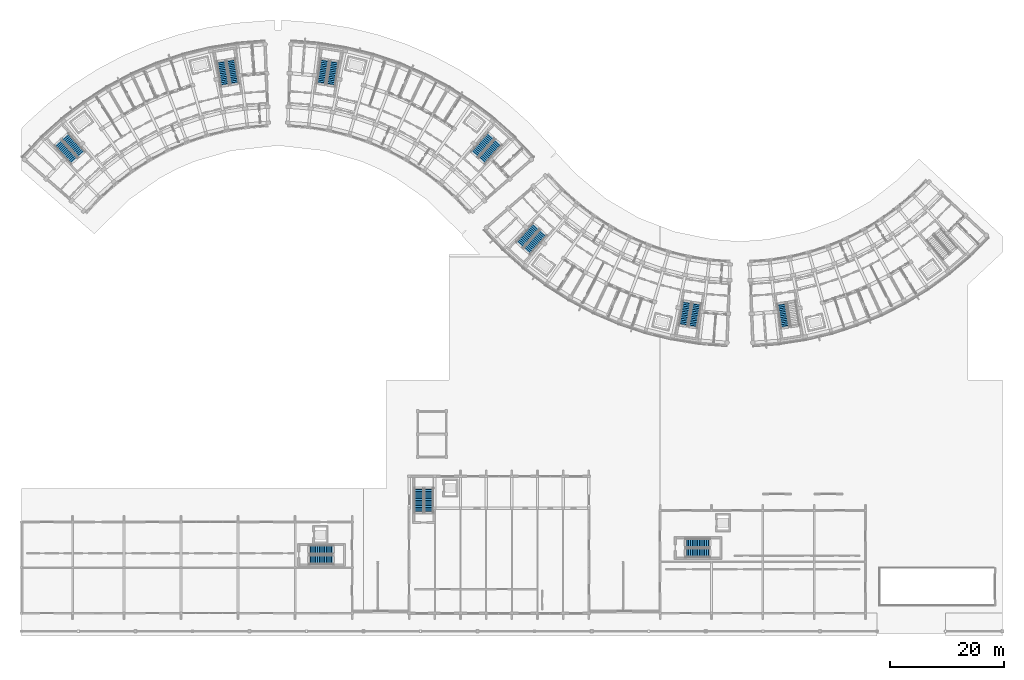
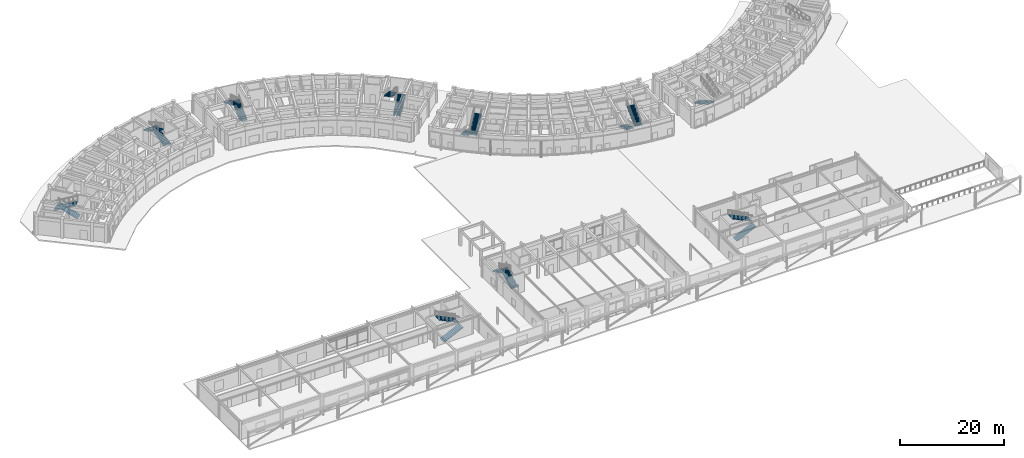
# One storey, part 46 of 61: 19 stair flights, 10 elements without a shape of their own.
"""IFC4 building model written with IfcOpenShell, lengths in metres."""

from ifc_helpers import new_model, si_unit, direction, frame, origin, place, context, subcontext, project, spatial, polyline, outline, extrude, material, type_object, element, aggregate, save


model = new_model("IFC4")

# Units and contexts
model_context = context("Model", 3, precision=1e-05, world=origin(), true_north=direction((0.0, 1.0)))
body_context = subcontext(model_context, "Body", "Model", "MODEL_VIEW")
ifc_project = project(units=[si_unit("LENGTHUNIT", "METRE"), si_unit("AREAUNIT", "SQUARE_METRE"), si_unit("VOLUMEUNIT", "CUBIC_METRE"), si_unit("PLANEANGLEUNIT", "RADIAN"), si_unit("MASSUNIT", "GRAM", prefix="KILO")], contexts=[model_context])

# Site, building, storey
site_placement = place(None, origin())
site = spatial("IfcSite", under=ifc_project, at=site_placement, CompositionType="ELEMENT")
building_placement = place(site_placement, origin())
building = spatial("IfcBuilding", under=site, at=building_placement, Name="Zimvara Arc Housing Community", CompositionType="ELEMENT")
storey_placement = place(building_placement, origin())
storey = spatial("IfcBuildingStorey", under=building, at=storey_placement, Name="L00", CompositionType="ELEMENT", Elevation=0.0)

# Stair, stair flights
ifc_material_1 = material(Name="Concrete C35/45", Category="concrete")
stair_type_1 = type_object("IfcStairType", Name="STR-DL-310-450", PredefinedType="HALF_TURN_STAIR", material=ifc_material_1)
stair_1_placement = place(storey_placement, origin())
stair_1 = element("IfcStair", 1, at=stair_1_placement, inside=storey, type_object=stair_type_1, Name="L00 Block C Exit Stair 2", PredefinedType="HALF_TURN_STAIR")
ifc_material_2 = material(Name="Concrete C35/45", Category="concrete")
stair_flight_type_1 = type_object("IfcStairFlightType", Name="STF-DL-310-450", PredefinedType="STRAIGHT", material=ifc_material_2)
stair_flight_1_placement = place(storey_placement, frame((116.7353515625, 58.27490234375, 0.0), z_axis=(0.0, 0.0, 1.0), x_axis=(-0.160225753504, -0.987080395872, 0.0)))
stair_flight_1 = element("IfcStairFlight", 2, at=stair_flight_1_placement, type_object=stair_flight_type_1, Name="ST-C2 flight 1", NumberOfRisers=15, NumberOfTreads=14, PredefinedType="STRAIGHT", RiserHeight=0.15, TreadLength=0.31, context=body_context, shape_type="SweptSolid", body=[
    extrude(outline(polyline([(0.0, 0.0), (0.0, 0.14990234375), (0.31005859375, 0.14990234375), (0.31005859375, 0.300048828125), (0.6201171875, 0.300048828125), (0.6201171875, 0.449951171875), (0.929931640625, 0.449951171875), (0.929931640625, 0.60009765625), (1.239990234375, 0.60009765625), (1.239990234375, 0.75), (1.550048828125, 0.75), (1.550048828125, 0.89990234375), (1.860107421875, 0.89990234375), (1.860107421875, 1.050048828125), (2.169921875, 1.050048828125), (2.169921875, 1.199951171875), (2.47998046875, 1.199951171875), (2.47998046875, 1.35009765625), (2.7900390625, 1.35009765625), (2.7900390625, 1.5), (3.10009765625, 1.5), (3.10009765625, 1.64990234375), (3.409912109375, 1.64990234375), (3.409912109375, 1.800048828125), (3.719970703125, 1.800048828125), (3.719970703125, 1.949951171875), (4.030029296875, 1.949951171875), (4.030029296875, 2.10009765625), (4.340087890625, 2.10009765625), (4.340087890625, 2.25), (4.340087890625, 1.933349609375), (0.34423828125, 0.0), (0.0, 0.0)])), frame((0.0, 0.780029296875, 0.0), z_axis=(0.0, -1.0, 0.0), x_axis=(1.0, 0.0, 0.0)), (0.0, 0.0, 1.0), 1.56005859375),
])
stair_flight_2_placement = place(storey_placement, frame((117.73779296875, 53.71533203125, 2.25), z_axis=(0.0, 0.0, 1.0), x_axis=(0.160225753504, 0.987080395872, 0.0)))
stair_flight_2 = element("IfcStairFlight", 3, at=stair_flight_2_placement, type_object=stair_flight_type_1, Name="ST-C2 flight 2", NumberOfRisers=15, NumberOfTreads=14, PredefinedType="STRAIGHT", RiserHeight=0.15, TreadLength=0.31, context=body_context, shape_type="SweptSolid", body=[
    extrude(outline(polyline([(0.0, 0.0), (0.0, 0.14990234375), (0.31005859375, 0.14990234375), (0.31005859375, 0.300048828125), (0.6201171875, 0.300048828125), (0.6201171875, 0.449951171875), (0.929931640625, 0.449951171875), (0.929931640625, 0.60009765625), (1.239990234375, 0.60009765625), (1.239990234375, 0.75), (1.550048828125, 0.75), (1.550048828125, 0.89990234375), (1.860107421875, 0.89990234375), (1.860107421875, 1.050048828125), (2.169921875, 1.050048828125), (2.169921875, 1.199951171875), (2.47998046875, 1.199951171875), (2.47998046875, 1.35009765625), (2.7900390625, 1.35009765625), (2.7900390625, 1.5), (3.10009765625, 1.5), (3.10009765625, 1.64990234375), (3.409912109375, 1.64990234375), (3.409912109375, 1.800048828125), (3.719970703125, 1.800048828125), (3.719970703125, 1.949951171875), (4.030029296875, 1.949951171875), (4.030029296875, 2.10009765625), (4.340087890625, 2.10009765625), (4.340087890625, 2.25), (4.340087890625, 1.933349609375), (0.34423828125, 0.0), (0.0, 0.0)])), frame((0.0, 0.780029296875, 0.0), z_axis=(0.0, -1.0, 0.0), x_axis=(1.0, 0.0, 0.0)), (0.0, 0.0, 1.0), 1.56005859375),
])
aggregate(stair_1, [stair_flight_1, stair_flight_2])

# Stair, stair flight
stair_2_placement = place(storey_placement, origin())
stair_2 = element("IfcStair", 4, at=stair_2_placement, inside=storey, type_object=stair_type_1, Name="L00 Block D Exit Stair 1", PredefinedType="HALF_TURN_STAIR")
stair_flight_3_placement = place(storey_placement, frame((133.282470703125, 57.964111328125, 0.0), z_axis=(0.0, 0.0, 1.0), x_axis=(0.155572484907, -0.987824479318, 0.0)))
stair_flight_3 = element("IfcStairFlight", 5, at=stair_flight_3_placement, type_object=stair_flight_type_1, Name="ST-D1 flight 1", NumberOfRisers=15, NumberOfTreads=14, PredefinedType="STRAIGHT", RiserHeight=0.15, TreadLength=0.31, context=body_context, shape_type="SweptSolid", body=[
    extrude(outline(polyline([(0.0, 0.0), (0.0, 0.14990234375), (0.31005859375, 0.14990234375), (0.31005859375, 0.300048828125), (0.6201171875, 0.300048828125), (0.6201171875, 0.449951171875), (0.929931640625, 0.449951171875), (0.929931640625, 0.60009765625), (1.239990234375, 0.60009765625), (1.239990234375, 0.75), (1.550048828125, 0.75), (1.550048828125, 0.89990234375), (1.860107421875, 0.89990234375), (1.860107421875, 1.050048828125), (2.169921875, 1.050048828125), (2.169921875, 1.199951171875), (2.47998046875, 1.199951171875), (2.47998046875, 1.35009765625), (2.7900390625, 1.35009765625), (2.7900390625, 1.5), (3.10009765625, 1.5), (3.10009765625, 1.64990234375), (3.409912109375, 1.64990234375), (3.409912109375, 1.800048828125), (3.719970703125, 1.800048828125), (3.719970703125, 1.949951171875), (4.030029296875, 1.949951171875), (4.030029296875, 2.10009765625), (4.340087890625, 2.10009765625), (4.340087890625, 2.25), (4.340087890625, 1.933349609375), (0.34423828125, 0.0), (0.0, 0.0)])), frame((0.0, 0.780029296875, 0.0), z_axis=(0.0, -1.0, 0.0), x_axis=(1.0, 0.0, 0.0)), (0.0, 0.0, 1.0), 1.56005859375),
])
aggregate(stair_2, [stair_flight_3])

# Stair, stair flights
stair_3_placement = place(storey_placement, origin())
stair_3 = element("IfcStair", 6, at=stair_3_placement, inside=storey, type_object=stair_type_1, Name="L00 Community Hall Stair ST-H1", PredefinedType="HALF_TURN_STAIR")
stair_flight_4_placement = place(storey_placement, frame((71.43994140625, 21.22998046875, 0.0), z_axis=(0.0, 0.0, 1.0), x_axis=(0.0, 1.0, 0.0)))
stair_flight_4 = element("IfcStairFlight", 7, at=stair_flight_4_placement, type_object=stair_flight_type_1, Name="ST-H1 flight 1", NumberOfRisers=15, NumberOfTreads=14, PredefinedType="STRAIGHT", RiserHeight=0.15, TreadLength=0.31, context=body_context, shape_type="SweptSolid", body=[
    extrude(outline(polyline([(0.0, 0.0), (0.0, 0.14990234375), (0.31005859375, 0.14990234375), (0.31005859375, 0.300048828125), (0.6201171875, 0.300048828125), (0.6201171875, 0.449951171875), (0.929931640625, 0.449951171875), (0.929931640625, 0.60009765625), (1.239990234375, 0.60009765625), (1.239990234375, 0.75), (1.550048828125, 0.75), (1.550048828125, 0.89990234375), (1.860107421875, 0.89990234375), (1.860107421875, 1.050048828125), (2.169921875, 1.050048828125), (2.169921875, 1.199951171875), (2.47998046875, 1.199951171875), (2.47998046875, 1.35009765625), (2.7900390625, 1.35009765625), (2.7900390625, 1.5), (3.10009765625, 1.5), (3.10009765625, 1.64990234375), (3.409912109375, 1.64990234375), (3.409912109375, 1.800048828125), (3.719970703125, 1.800048828125), (3.719970703125, 1.949951171875), (4.030029296875, 1.949951171875), (4.030029296875, 2.10009765625), (4.340087890625, 2.10009765625), (4.340087890625, 2.25), (4.340087890625, 1.933349609375), (0.34423828125, 0.0), (0.0, 0.0)])), frame((0.0, 0.780029296875, 0.0), z_axis=(0.0, -1.0, 0.0), x_axis=(1.0, 0.0, 0.0)), (0.0, 0.0, 1.0), 1.56005859375),
])
stair_flight_5_placement = place(storey_placement, frame((69.719970703125, 25.570068359375, 2.25), z_axis=(0.0, 0.0, 1.0), x_axis=(0.0, -1.0, 0.0)))
stair_flight_5 = element("IfcStairFlight", 8, at=stair_flight_5_placement, type_object=stair_flight_type_1, Name="ST-H1 flight 2", NumberOfRisers=15, NumberOfTreads=14, PredefinedType="STRAIGHT", RiserHeight=0.15, TreadLength=0.31, context=body_context, shape_type="SweptSolid", body=[
    extrude(outline(polyline([(0.0, 0.0), (0.0, 0.14990234375), (0.31005859375, 0.14990234375), (0.31005859375, 0.300048828125), (0.6201171875, 0.300048828125), (0.6201171875, 0.449951171875), (0.929931640625, 0.449951171875), (0.929931640625, 0.60009765625), (1.239990234375, 0.60009765625), (1.239990234375, 0.75), (1.550048828125, 0.75), (1.550048828125, 0.89990234375), (1.860107421875, 0.89990234375), (1.860107421875, 1.050048828125), (2.169921875, 1.050048828125), (2.169921875, 1.199951171875), (2.47998046875, 1.199951171875), (2.47998046875, 1.35009765625), (2.7900390625, 1.35009765625), (2.7900390625, 1.5), (3.10009765625, 1.5), (3.10009765625, 1.64990234375), (3.409912109375, 1.64990234375), (3.409912109375, 1.800048828125), (3.719970703125, 1.800048828125), (3.719970703125, 1.949951171875), (4.030029296875, 1.949951171875), (4.030029296875, 2.10009765625), (4.340087890625, 2.10009765625), (4.340087890625, 2.25), (4.340087890625, 1.933349609375), (0.34423828125, 0.0), (0.0, 0.0)])), frame((0.0, 0.780029296875, 0.0), z_axis=(0.0, -1.0, 0.0), x_axis=(1.0, 0.0, 0.0)), (0.0, 0.0, 1.0), 1.56005859375),
])
aggregate(stair_3, [stair_flight_4, stair_flight_5])

stair_4_placement = place(storey_placement, origin())
stair_4 = element("IfcStair", 9, at=stair_4_placement, inside=storey, type_object=stair_type_1, Name="L00 Shops Wing Stair ST-S1", PredefinedType="HALF_TURN_STAIR")
stair_flight_6_placement = place(storey_placement, frame((50.3798828125, 12.97998046875, 0.0), z_axis=(0.0, 0.0, 1.0), x_axis=(1.0, 0.0, 0.0)))
stair_flight_6 = element("IfcStairFlight", 10, at=stair_flight_6_placement, type_object=stair_flight_type_1, Name="ST-S1 flight 1", NumberOfRisers=15, NumberOfTreads=14, PredefinedType="STRAIGHT", RiserHeight=0.15, TreadLength=0.31, context=body_context, shape_type="SweptSolid", body=[
    extrude(outline(polyline([(0.0, 0.0), (0.0, 0.14990234375), (0.31005859375, 0.14990234375), (0.31005859375, 0.300048828125), (0.6201171875, 0.300048828125), (0.6201171875, 0.449951171875), (0.929931640625, 0.449951171875), (0.929931640625, 0.60009765625), (1.239990234375, 0.60009765625), (1.239990234375, 0.75), (1.550048828125, 0.75), (1.550048828125, 0.89990234375), (1.860107421875, 0.89990234375), (1.860107421875, 1.050048828125), (2.169921875, 1.050048828125), (2.169921875, 1.199951171875), (2.47998046875, 1.199951171875), (2.47998046875, 1.35009765625), (2.7900390625, 1.35009765625), (2.7900390625, 1.5), (3.10009765625, 1.5), (3.10009765625, 1.64990234375), (3.409912109375, 1.64990234375), (3.409912109375, 1.800048828125), (3.719970703125, 1.800048828125), (3.719970703125, 1.949951171875), (4.030029296875, 1.949951171875), (4.030029296875, 2.10009765625), (4.340087890625, 2.10009765625), (4.340087890625, 2.25), (4.340087890625, 1.933349609375), (0.34423828125, 0.0), (0.0, 0.0)])), frame((0.0, 0.780029296875, 0.0), z_axis=(0.0, -1.0, 0.0), x_axis=(1.0, 0.0, 0.0)), (0.0, 0.0, 1.0), 1.56005859375),
])
stair_flight_7_placement = place(storey_placement, frame((54.719970703125, 14.699951171875, 2.25), z_axis=(0.0, 0.0, 1.0), x_axis=(-1.0, 0.0, 0.0)))
stair_flight_7 = element("IfcStairFlight", 11, at=stair_flight_7_placement, type_object=stair_flight_type_1, Name="ST-S1 flight 2", NumberOfRisers=15, NumberOfTreads=14, PredefinedType="STRAIGHT", RiserHeight=0.15, TreadLength=0.31, context=body_context, shape_type="SweptSolid", body=[
    extrude(outline(polyline([(0.0, 0.0), (0.0, 0.14990234375), (0.31005859375, 0.14990234375), (0.31005859375, 0.300048828125), (0.6201171875, 0.300048828125), (0.6201171875, 0.449951171875), (0.929931640625, 0.449951171875), (0.929931640625, 0.60009765625), (1.239990234375, 0.60009765625), (1.239990234375, 0.75), (1.550048828125, 0.75), (1.550048828125, 0.89990234375), (1.860107421875, 0.89990234375), (1.860107421875, 1.050048828125), (2.169921875, 1.050048828125), (2.169921875, 1.199951171875), (2.47998046875, 1.199951171875), (2.47998046875, 1.35009765625), (2.7900390625, 1.35009765625), (2.7900390625, 1.5), (3.10009765625, 1.5), (3.10009765625, 1.64990234375), (3.409912109375, 1.64990234375), (3.409912109375, 1.800048828125), (3.719970703125, 1.800048828125), (3.719970703125, 1.949951171875), (4.030029296875, 1.949951171875), (4.030029296875, 2.10009765625), (4.340087890625, 2.10009765625), (4.340087890625, 2.25), (4.340087890625, 1.933349609375), (0.34423828125, 0.0), (0.0, 0.0)])), frame((0.0, 0.780029296875, 0.0), z_axis=(0.0, -1.0, 0.0), x_axis=(1.0, 0.0, 0.0)), (0.0, 0.0, 1.0), 1.56005859375),
])
aggregate(stair_4, [stair_flight_6, stair_flight_7])

ifc_material_3 = material(Name="Concrete C35/45", Category="concrete")
stair_type_2 = type_object("IfcStairType", Name="STR-DL-312-450", PredefinedType="HALF_TURN_STAIR", material=ifc_material_3)
stair_5_placement = place(storey_placement, origin())
stair_5 = element("IfcStair", 12, at=stair_5_placement, inside=storey, type_object=stair_type_2, Name="L00 Block A Exit Stair 1", PredefinedType="HALF_TURN_STAIR")
ifc_material_4 = material(Name="Concrete C35/45", Category="concrete")
stair_flight_type_2 = type_object("IfcStairFlightType", Name="STF-DL-312-450", PredefinedType="STRAIGHT", material=ifc_material_4)
stair_flight_8_placement = place(storey_placement, frame((10.590576171875, 84.0283203125, 0.0), z_axis=(0.0, 0.0, 1.0), x_axis=(-0.668871159118, 0.743378350842, 0.0)))
stair_flight_8 = element("IfcStairFlight", 13, at=stair_flight_8_placement, type_object=stair_flight_type_2, Name="ST-A1 flight 1", NumberOfRisers=15, NumberOfTreads=14, PredefinedType="STRAIGHT", RiserHeight=0.15, TreadLength=0.312, context=body_context, shape_type="SweptSolid", body=[
    extrude(outline(polyline([(0.0, 0.0), (0.0, 0.14990234375), (0.31201171875, 0.14990234375), (0.31201171875, 0.300048828125), (0.6240234375, 0.300048828125), (0.6240234375, 0.449951171875), (0.93603515625, 0.449951171875), (0.93603515625, 0.60009765625), (1.248046875, 0.60009765625), (1.248046875, 0.75), (1.56005859375, 0.75), (1.56005859375, 0.89990234375), (1.8720703125, 0.89990234375), (1.8720703125, 1.050048828125), (2.18408203125, 1.050048828125), (2.18408203125, 1.199951171875), (2.49609375, 1.199951171875), (2.49609375, 1.35009765625), (2.80810546875, 1.35009765625), (2.80810546875, 1.5), (3.1201171875, 1.5), (3.1201171875, 1.64990234375), (3.431884765625, 1.64990234375), (3.431884765625, 1.800048828125), (3.743896484375, 1.800048828125), (3.743896484375, 1.949951171875), (4.055908203125, 1.949951171875), (4.055908203125, 2.10009765625), (4.367919921875, 2.10009765625), (4.367919921875, 2.25), (4.367919921875, 1.93359375), (0.345947265625, 0.0), (0.0, 0.0)])), frame((0.0, 0.780029296875, 0.0), z_axis=(0.0, -1.0, 0.0), x_axis=(1.0, 0.0, 0.0)), (0.0, 0.0, 1.0), 1.56005859375),
])
stair_flight_9_placement = place(storey_placement, frame((6.39013671875, 86.124755859375, 2.25), z_axis=(0.0, 0.0, 1.0), x_axis=(0.668871159118, -0.743378350842, 0.0)))
stair_flight_9 = element("IfcStairFlight", 14, at=stair_flight_9_placement, type_object=stair_flight_type_2, Name="ST-A1 flight 2", NumberOfRisers=15, NumberOfTreads=14, PredefinedType="STRAIGHT", RiserHeight=0.15, TreadLength=0.312, context=body_context, shape_type="SweptSolid", body=[
    extrude(outline(polyline([(0.0, 0.0), (0.0, 0.14990234375), (0.31201171875, 0.14990234375), (0.31201171875, 0.300048828125), (0.6240234375, 0.300048828125), (0.6240234375, 0.449951171875), (0.93603515625, 0.449951171875), (0.93603515625, 0.60009765625), (1.248046875, 0.60009765625), (1.248046875, 0.75), (1.56005859375, 0.75), (1.56005859375, 0.89990234375), (1.8720703125, 0.89990234375), (1.8720703125, 1.050048828125), (2.18408203125, 1.050048828125), (2.18408203125, 1.199951171875), (2.49609375, 1.199951171875), (2.49609375, 1.35009765625), (2.80810546875, 1.35009765625), (2.80810546875, 1.5), (3.1201171875, 1.5), (3.1201171875, 1.64990234375), (3.431884765625, 1.64990234375), (3.431884765625, 1.800048828125), (3.743896484375, 1.800048828125), (3.743896484375, 1.949951171875), (4.055908203125, 1.949951171875), (4.055908203125, 2.10009765625), (4.367919921875, 2.10009765625), (4.367919921875, 2.25), (4.367919921875, 1.93359375), (0.345947265625, 0.0), (0.0, 0.0)])), frame((0.0, 0.780029296875, 0.0), z_axis=(0.0, -1.0, 0.0), x_axis=(1.0, 0.0, 0.0)), (0.0, 0.0, 1.0), 1.56005859375),
])
aggregate(stair_5, [stair_flight_8, stair_flight_9])

stair_6_placement = place(storey_placement, origin())
stair_6 = element("IfcStair", 15, at=stair_6_placement, inside=storey, type_object=stair_type_2, Name="L00 Nursery Stair ST-N1", PredefinedType="HALF_TURN_STAIR")
stair_flight_10_placement = place(storey_placement, frame((116.3798828125, 14.179931640625, 0.0), z_axis=(0.0, 0.0, 1.0), x_axis=(1.0, 0.0, 0.0)))
stair_flight_10 = element("IfcStairFlight", 16, at=stair_flight_10_placement, type_object=stair_flight_type_2, Name="ST-N1 flight 1", NumberOfRisers=15, NumberOfTreads=14, PredefinedType="STRAIGHT", RiserHeight=0.15, TreadLength=0.312, context=body_context, shape_type="SweptSolid", body=[
    extrude(outline(polyline([(0.0, 0.0), (0.0, 0.14990234375), (0.31201171875, 0.14990234375), (0.31201171875, 0.300048828125), (0.6240234375, 0.300048828125), (0.6240234375, 0.449951171875), (0.93603515625, 0.449951171875), (0.93603515625, 0.60009765625), (1.248046875, 0.60009765625), (1.248046875, 0.75), (1.56005859375, 0.75), (1.56005859375, 0.89990234375), (1.8720703125, 0.89990234375), (1.8720703125, 1.050048828125), (2.18408203125, 1.050048828125), (2.18408203125, 1.199951171875), (2.49609375, 1.199951171875), (2.49609375, 1.35009765625), (2.80810546875, 1.35009765625), (2.80810546875, 1.5), (3.1201171875, 1.5), (3.1201171875, 1.64990234375), (3.431884765625, 1.64990234375), (3.431884765625, 1.800048828125), (3.743896484375, 1.800048828125), (3.743896484375, 1.949951171875), (4.055908203125, 1.949951171875), (4.055908203125, 2.10009765625), (4.367919921875, 2.10009765625), (4.367919921875, 2.25), (4.367919921875, 1.93359375), (0.345947265625, 0.0), (0.0, 0.0)])), frame((0.0, 0.780029296875, 0.0), z_axis=(0.0, -1.0, 0.0), x_axis=(1.0, 0.0, 0.0)), (0.0, 0.0, 1.0), 1.56005859375),
])
stair_flight_11_placement = place(storey_placement, frame((120.748046875, 15.89990234375, 2.25), z_axis=(0.0, 0.0, 1.0), x_axis=(-1.0, 0.0, 0.0)))
stair_flight_11 = element("IfcStairFlight", 17, at=stair_flight_11_placement, type_object=stair_flight_type_2, Name="ST-N1 flight 2", NumberOfRisers=15, NumberOfTreads=14, PredefinedType="STRAIGHT", RiserHeight=0.15, TreadLength=0.312, context=body_context, shape_type="SweptSolid", body=[
    extrude(outline(polyline([(0.0, 0.0), (0.0, 0.14990234375), (0.31201171875, 0.14990234375), (0.31201171875, 0.300048828125), (0.6240234375, 0.300048828125), (0.6240234375, 0.449951171875), (0.93603515625, 0.449951171875), (0.93603515625, 0.60009765625), (1.248046875, 0.60009765625), (1.248046875, 0.75), (1.56005859375, 0.75), (1.56005859375, 0.89990234375), (1.8720703125, 0.89990234375), (1.8720703125, 1.050048828125), (2.18408203125, 1.050048828125), (2.18408203125, 1.199951171875), (2.49609375, 1.199951171875), (2.49609375, 1.35009765625), (2.80810546875, 1.35009765625), (2.80810546875, 1.5), (3.1201171875, 1.5), (3.1201171875, 1.64990234375), (3.431884765625, 1.64990234375), (3.431884765625, 1.800048828125), (3.743896484375, 1.800048828125), (3.743896484375, 1.949951171875), (4.055908203125, 1.949951171875), (4.055908203125, 2.10009765625), (4.367919921875, 2.10009765625), (4.367919921875, 2.25), (4.367919921875, 1.93359375), (0.345947265625, 0.0), (0.0, 0.0)])), frame((0.0, 0.780029296875, 0.0), z_axis=(0.0, -1.0, 0.0), x_axis=(1.0, 0.0, 0.0)), (0.0, 0.0, 1.0), 1.56005859375),
])
aggregate(stair_6, [stair_flight_10, stair_flight_11])

ifc_material_5 = material(Name="Concrete C35/45", Category="concrete")
stair_type_3 = type_object("IfcStairType", Name="STR-DL-315-450", PredefinedType="HALF_TURN_STAIR", material=ifc_material_5)
stair_7_placement = place(storey_placement, origin())
stair_7 = element("IfcStair", 18, at=stair_7_placement, inside=storey, type_object=stair_type_3, Name="L00 Block A Exit Stair 2", PredefinedType="HALF_TURN_STAIR")
ifc_material_6 = material(Name="Concrete C35/45", Category="concrete")
stair_flight_type_3 = type_object("IfcStairFlightType", Name="STF-DL-315-450", PredefinedType="STRAIGHT", material=ifc_material_6)
stair_flight_12_placement = place(storey_placement, frame((37.453125, 96.36083984375, 0.0), z_axis=(0.0, 0.0, 1.0), x_axis=(-0.160225753504, 0.987080395872, 0.0)))
stair_flight_12 = element("IfcStairFlight", 19, at=stair_flight_12_placement, type_object=stair_flight_type_3, Name="ST-A2 flight 1", NumberOfRisers=15, NumberOfTreads=14, PredefinedType="STRAIGHT", RiserHeight=0.15, TreadLength=0.315, context=body_context, shape_type="SweptSolid", body=[
    extrude(outline(polyline([(0.0, 0.0), (0.0, 0.14990234375), (0.31494140625, 0.14990234375), (0.31494140625, 0.300048828125), (0.6298828125, 0.300048828125), (0.6298828125, 0.449951171875), (0.945068359375, 0.449951171875), (0.945068359375, 0.60009765625), (1.260009765625, 0.60009765625), (1.260009765625, 0.75), (1.574951171875, 0.75), (1.574951171875, 0.89990234375), (1.889892578125, 0.89990234375), (1.889892578125, 1.050048828125), (2.205078125, 1.050048828125), (2.205078125, 1.199951171875), (2.52001953125, 1.199951171875), (2.52001953125, 1.35009765625), (2.8349609375, 1.35009765625), (2.8349609375, 1.5), (3.14990234375, 1.5), (3.14990234375, 1.64990234375), (3.465087890625, 1.64990234375), (3.465087890625, 1.800048828125), (3.780029296875, 1.800048828125), (3.780029296875, 1.949951171875), (4.094970703125, 1.949951171875), (4.094970703125, 2.10009765625), (4.409912109375, 2.10009765625), (4.409912109375, 2.25), (4.409912109375, 1.93408203125), (0.3486328125, 0.0), (0.0, 0.0)])), frame((0.0, 0.780029296875, 0.0), z_axis=(0.0, -1.0, 0.0), x_axis=(1.0, 0.0, 0.0)), (0.0, 0.0, 1.0), 1.56005859375),
])
stair_flight_13_placement = place(storey_placement, frame((35.048583984375, 100.438232421875, 2.25), z_axis=(0.0, 0.0, 1.0), x_axis=(0.160225753504, -0.987080395872, 0.0)))
stair_flight_13 = element("IfcStairFlight", 20, at=stair_flight_13_placement, type_object=stair_flight_type_3, Name="ST-A2 flight 2", NumberOfRisers=15, NumberOfTreads=14, PredefinedType="STRAIGHT", RiserHeight=0.15, TreadLength=0.315, context=body_context, shape_type="SweptSolid", body=[
    extrude(outline(polyline([(0.0, 0.0), (0.0, 0.14990234375), (0.31494140625, 0.14990234375), (0.31494140625, 0.300048828125), (0.6298828125, 0.300048828125), (0.6298828125, 0.449951171875), (0.945068359375, 0.449951171875), (0.945068359375, 0.60009765625), (1.260009765625, 0.60009765625), (1.260009765625, 0.75), (1.574951171875, 0.75), (1.574951171875, 0.89990234375), (1.889892578125, 0.89990234375), (1.889892578125, 1.050048828125), (2.205078125, 1.050048828125), (2.205078125, 1.199951171875), (2.52001953125, 1.199951171875), (2.52001953125, 1.35009765625), (2.8349609375, 1.35009765625), (2.8349609375, 1.5), (3.14990234375, 1.5), (3.14990234375, 1.64990234375), (3.465087890625, 1.64990234375), (3.465087890625, 1.800048828125), (3.780029296875, 1.800048828125), (3.780029296875, 1.949951171875), (4.094970703125, 1.949951171875), (4.094970703125, 2.10009765625), (4.409912109375, 2.10009765625), (4.409912109375, 2.25), (4.409912109375, 1.93408203125), (0.3486328125, 0.0), (0.0, 0.0)])), frame((0.0, 0.780029296875, 0.0), z_axis=(0.0, -1.0, 0.0), x_axis=(1.0, 0.0, 0.0)), (0.0, 0.0, 1.0), 1.56005859375),
])
aggregate(stair_7, [stair_flight_12, stair_flight_13])

stair_8_placement = place(storey_placement, origin())
stair_8 = element("IfcStair", 21, at=stair_8_placement, inside=storey, type_object=stair_type_3, Name="L00 Block B Exit Stair 1", PredefinedType="HALF_TURN_STAIR")
stair_flight_14_placement = place(storey_placement, frame((54.24462890625, 96.085205078125, 0.0), z_axis=(0.0, 0.0, 1.0), x_axis=(0.160225753504, 0.987080395872, 0.0)))
stair_flight_14 = element("IfcStairFlight", 22, at=stair_flight_14_placement, type_object=stair_flight_type_3, Name="ST-B1 flight 1", NumberOfRisers=15, NumberOfTreads=14, PredefinedType="STRAIGHT", RiserHeight=0.15, TreadLength=0.315, context=body_context, shape_type="SweptSolid", body=[
    extrude(outline(polyline([(0.0, 0.0), (0.0, 0.14990234375), (0.31494140625, 0.14990234375), (0.31494140625, 0.300048828125), (0.6298828125, 0.300048828125), (0.6298828125, 0.449951171875), (0.945068359375, 0.449951171875), (0.945068359375, 0.60009765625), (1.260009765625, 0.60009765625), (1.260009765625, 0.75), (1.574951171875, 0.75), (1.574951171875, 0.89990234375), (1.889892578125, 0.89990234375), (1.889892578125, 1.050048828125), (2.205078125, 1.050048828125), (2.205078125, 1.199951171875), (2.52001953125, 1.199951171875), (2.52001953125, 1.35009765625), (2.8349609375, 1.35009765625), (2.8349609375, 1.5), (3.14990234375, 1.5), (3.14990234375, 1.64990234375), (3.465087890625, 1.64990234375), (3.465087890625, 1.800048828125), (3.780029296875, 1.800048828125), (3.780029296875, 1.949951171875), (4.094970703125, 1.949951171875), (4.094970703125, 2.10009765625), (4.409912109375, 2.10009765625), (4.409912109375, 2.25), (4.409912109375, 1.93408203125), (0.3486328125, 0.0), (0.0, 0.0)])), frame((0.0, 0.780029296875, 0.0), z_axis=(0.0, -1.0, 0.0), x_axis=(1.0, 0.0, 0.0)), (0.0, 0.0, 1.0), 1.56005859375),
])
stair_flight_15_placement = place(storey_placement, frame((53.25341796875, 100.7138671875, 2.25), z_axis=(0.0, 0.0, 1.0), x_axis=(-0.160225753504, -0.987080395872, 0.0)))
stair_flight_15 = element("IfcStairFlight", 23, at=stair_flight_15_placement, type_object=stair_flight_type_3, Name="ST-B1 flight 2", NumberOfRisers=15, NumberOfTreads=14, PredefinedType="STRAIGHT", RiserHeight=0.15, TreadLength=0.315, context=body_context, shape_type="SweptSolid", body=[
    extrude(outline(polyline([(0.0, 0.0), (0.0, 0.14990234375), (0.31494140625, 0.14990234375), (0.31494140625, 0.300048828125), (0.6298828125, 0.300048828125), (0.6298828125, 0.449951171875), (0.945068359375, 0.449951171875), (0.945068359375, 0.60009765625), (1.260009765625, 0.60009765625), (1.260009765625, 0.75), (1.574951171875, 0.75), (1.574951171875, 0.89990234375), (1.889892578125, 0.89990234375), (1.889892578125, 1.050048828125), (2.205078125, 1.050048828125), (2.205078125, 1.199951171875), (2.52001953125, 1.199951171875), (2.52001953125, 1.35009765625), (2.8349609375, 1.35009765625), (2.8349609375, 1.5), (3.14990234375, 1.5), (3.14990234375, 1.64990234375), (3.465087890625, 1.64990234375), (3.465087890625, 1.800048828125), (3.780029296875, 1.800048828125), (3.780029296875, 1.949951171875), (4.094970703125, 1.949951171875), (4.094970703125, 2.10009765625), (4.409912109375, 2.10009765625), (4.409912109375, 2.25), (4.409912109375, 1.93408203125), (0.3486328125, 0.0), (0.0, 0.0)])), frame((0.0, 0.780029296875, 0.0), z_axis=(0.0, -1.0, 0.0), x_axis=(1.0, 0.0, 0.0)), (0.0, 0.0, 1.0), 1.56005859375),
])
aggregate(stair_8, [stair_flight_14, stair_flight_15])

ifc_material_7 = material(Name="Concrete C35/45", Category="concrete")
stair_type_4 = type_object("IfcStairType", Name="STR-DL-318-450", PredefinedType="HALF_TURN_STAIR", material=ifc_material_7)
stair_9_placement = place(storey_placement, origin())
stair_9 = element("IfcStair", 24, at=stair_9_placement, inside=storey, type_object=stair_type_4, Name="L00 Block B Exit Stair 2", PredefinedType="HALF_TURN_STAIR")
ifc_material_8 = material(Name="Concrete C35/45", Category="concrete")
stair_flight_type_4 = type_object("IfcStairFlightType", Name="STF-DL-318-450", PredefinedType="STRAIGHT", material=ifc_material_8)
stair_flight_16_placement = place(storey_placement, frame((80.688232421875, 82.877685546875, 0.0), z_axis=(0.0, 0.0, 1.0), x_axis=(0.668871159118, 0.743378350842, 0.0)))
stair_flight_16 = element("IfcStairFlight", 25, at=stair_flight_16_placement, type_object=stair_flight_type_4, Name="ST-B2 flight 1", NumberOfRisers=15, NumberOfTreads=14, PredefinedType="STRAIGHT", RiserHeight=0.15, TreadLength=0.318, context=body_context, shape_type="SweptSolid", body=[
    extrude(outline(polyline([(0.0, 0.0), (0.0, 0.14990234375), (0.318115234375, 0.14990234375), (0.318115234375, 0.300048828125), (0.635986328125, 0.300048828125), (0.635986328125, 0.449951171875), (0.9541015625, 0.449951171875), (0.9541015625, 0.60009765625), (1.27197265625, 0.60009765625), (1.27197265625, 0.75), (1.590087890625, 0.75), (1.590087890625, 0.89990234375), (1.907958984375, 0.89990234375), (1.907958984375, 1.050048828125), (2.22607421875, 1.050048828125), (2.22607421875, 1.199951171875), (2.5439453125, 1.199951171875), (2.5439453125, 1.35009765625), (2.862060546875, 1.35009765625), (2.862060546875, 1.5), (3.179931640625, 1.5), (3.179931640625, 1.64990234375), (3.498046875, 1.64990234375), (3.498046875, 1.800048828125), (3.81591796875, 1.800048828125), (3.81591796875, 1.949951171875), (4.134033203125, 1.949951171875), (4.134033203125, 2.10009765625), (4.451904296875, 2.10009765625), (4.451904296875, 2.25), (4.451904296875, 1.934326171875), (0.351318359375, 0.0), (0.0, 0.0)])), frame((0.0, 0.780029296875, 0.0), z_axis=(0.0, -1.0, 0.0), x_axis=(1.0, 0.0, 0.0)), (0.0, 0.0, 1.0), 1.56005859375),
])
stair_flight_17_placement = place(storey_placement, frame((82.387451171875, 87.337890625, 2.25), z_axis=(0.0, 0.0, 1.0), x_axis=(-0.668871159118, -0.743378350842, 0.0)))
stair_flight_17 = element("IfcStairFlight", 26, at=stair_flight_17_placement, type_object=stair_flight_type_4, Name="ST-B2 flight 2", NumberOfRisers=15, NumberOfTreads=14, PredefinedType="STRAIGHT", RiserHeight=0.15, TreadLength=0.318, context=body_context, shape_type="SweptSolid", body=[
    extrude(outline(polyline([(0.0, 0.0), (0.0, 0.14990234375), (0.318115234375, 0.14990234375), (0.318115234375, 0.300048828125), (0.635986328125, 0.300048828125), (0.635986328125, 0.449951171875), (0.9541015625, 0.449951171875), (0.9541015625, 0.60009765625), (1.27197265625, 0.60009765625), (1.27197265625, 0.75), (1.590087890625, 0.75), (1.590087890625, 0.89990234375), (1.907958984375, 0.89990234375), (1.907958984375, 1.050048828125), (2.22607421875, 1.050048828125), (2.22607421875, 1.199951171875), (2.5439453125, 1.199951171875), (2.5439453125, 1.35009765625), (2.862060546875, 1.35009765625), (2.862060546875, 1.5), (3.179931640625, 1.5), (3.179931640625, 1.64990234375), (3.498046875, 1.64990234375), (3.498046875, 1.800048828125), (3.81591796875, 1.800048828125), (3.81591796875, 1.949951171875), (4.134033203125, 1.949951171875), (4.134033203125, 2.10009765625), (4.451904296875, 2.10009765625), (4.451904296875, 2.25), (4.451904296875, 1.934326171875), (0.351318359375, 0.0), (0.0, 0.0)])), frame((0.0, 0.780029296875, 0.0), z_axis=(0.0, -1.0, 0.0), x_axis=(1.0, 0.0, 0.0)), (0.0, 0.0, 1.0), 1.56005859375),
])
aggregate(stair_9, [stair_flight_16, stair_flight_17])

stair_10_placement = place(storey_placement, origin())
stair_10 = element("IfcStair", 27, at=stair_10_placement, inside=storey, type_object=stair_type_4, Name="L00 Block C Exit Stair 1", PredefinedType="HALF_TURN_STAIR")
stair_flight_18_placement = place(storey_placement, frame((90.291748046875, 71.482177734375, 0.0), z_axis=(0.0, 0.0, 1.0), x_axis=(-0.668871159118, -0.743378350842, 0.0)))
stair_flight_18 = element("IfcStairFlight", 28, at=stair_flight_18_placement, type_object=stair_flight_type_4, Name="ST-C1 flight 1", NumberOfRisers=15, NumberOfTreads=14, PredefinedType="STRAIGHT", RiserHeight=0.15, TreadLength=0.318, context=body_context, shape_type="SweptSolid", body=[
    extrude(outline(polyline([(0.0, 0.0), (0.0, 0.14990234375), (0.318115234375, 0.14990234375), (0.318115234375, 0.300048828125), (0.635986328125, 0.300048828125), (0.635986328125, 0.449951171875), (0.9541015625, 0.449951171875), (0.9541015625, 0.60009765625), (1.27197265625, 0.60009765625), (1.27197265625, 0.75), (1.590087890625, 0.75), (1.590087890625, 0.89990234375), (1.907958984375, 0.89990234375), (1.907958984375, 1.050048828125), (2.22607421875, 1.050048828125), (2.22607421875, 1.199951171875), (2.5439453125, 1.199951171875), (2.5439453125, 1.35009765625), (2.862060546875, 1.35009765625), (2.862060546875, 1.5), (3.179931640625, 1.5), (3.179931640625, 1.64990234375), (3.498046875, 1.64990234375), (3.498046875, 1.800048828125), (3.81591796875, 1.800048828125), (3.81591796875, 1.949951171875), (4.134033203125, 1.949951171875), (4.134033203125, 2.10009765625), (4.451904296875, 2.10009765625), (4.451904296875, 2.25), (4.451904296875, 1.934326171875), (0.351318359375, 0.0), (0.0, 0.0)])), frame((0.0, 0.780029296875, 0.0), z_axis=(0.0, -1.0, 0.0), x_axis=(1.0, 0.0, 0.0)), (0.0, 0.0, 1.0), 1.56005859375),
])
stair_flight_19_placement = place(storey_placement, frame((88.592529296875, 67.022216796875, 2.25), z_axis=(0.0, 0.0, 1.0), x_axis=(0.668871159118, 0.743378350842, 0.0)))
stair_flight_19 = element("IfcStairFlight", 29, at=stair_flight_19_placement, type_object=stair_flight_type_4, Name="ST-C1 flight 2", NumberOfRisers=15, NumberOfTreads=14, PredefinedType="STRAIGHT", RiserHeight=0.15, TreadLength=0.318, context=body_context, shape_type="SweptSolid", body=[
    extrude(outline(polyline([(0.0, 0.0), (0.0, 0.14990234375), (0.318115234375, 0.14990234375), (0.318115234375, 0.300048828125), (0.635986328125, 0.300048828125), (0.635986328125, 0.449951171875), (0.9541015625, 0.449951171875), (0.9541015625, 0.60009765625), (1.27197265625, 0.60009765625), (1.27197265625, 0.75), (1.590087890625, 0.75), (1.590087890625, 0.89990234375), (1.907958984375, 0.89990234375), (1.907958984375, 1.050048828125), (2.22607421875, 1.050048828125), (2.22607421875, 1.199951171875), (2.5439453125, 1.199951171875), (2.5439453125, 1.35009765625), (2.862060546875, 1.35009765625), (2.862060546875, 1.5), (3.179931640625, 1.5), (3.179931640625, 1.64990234375), (3.498046875, 1.64990234375), (3.498046875, 1.800048828125), (3.81591796875, 1.800048828125), (3.81591796875, 1.949951171875), (4.134033203125, 1.949951171875), (4.134033203125, 2.10009765625), (4.451904296875, 2.10009765625), (4.451904296875, 2.25), (4.451904296875, 1.934326171875), (0.351318359375, 0.0), (0.0, 0.0)])), frame((0.0, 0.780029296875, 0.0), z_axis=(0.0, -1.0, 0.0), x_axis=(1.0, 0.0, 0.0)), (0.0, 0.0, 1.0), 1.56005859375),
])
aggregate(stair_10, [stair_flight_18, stair_flight_19])

save(model, "model.ifc")
